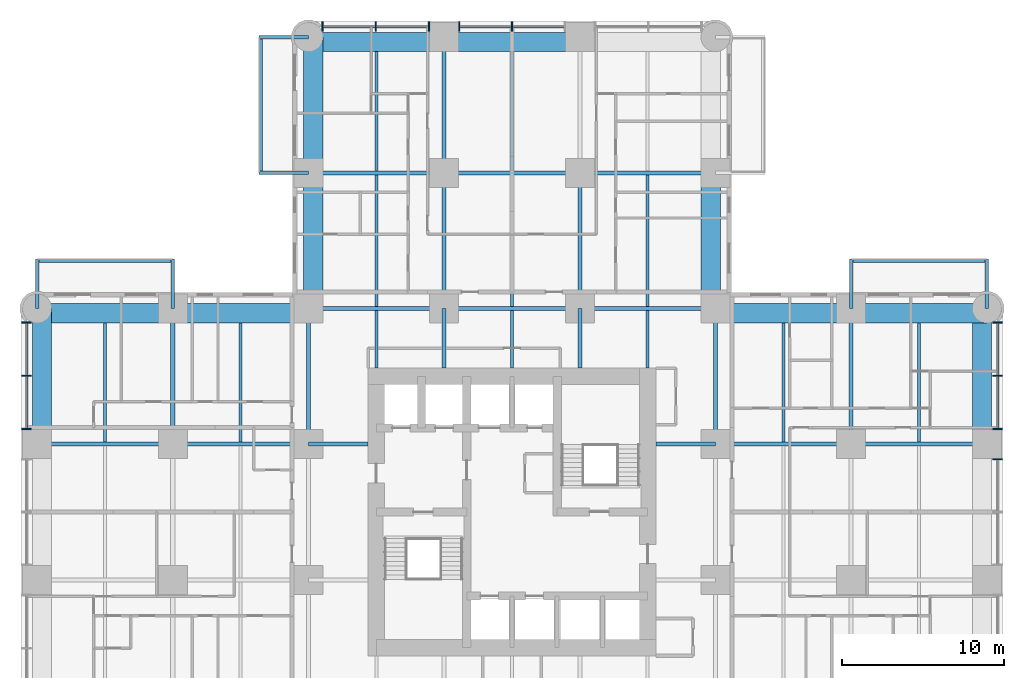
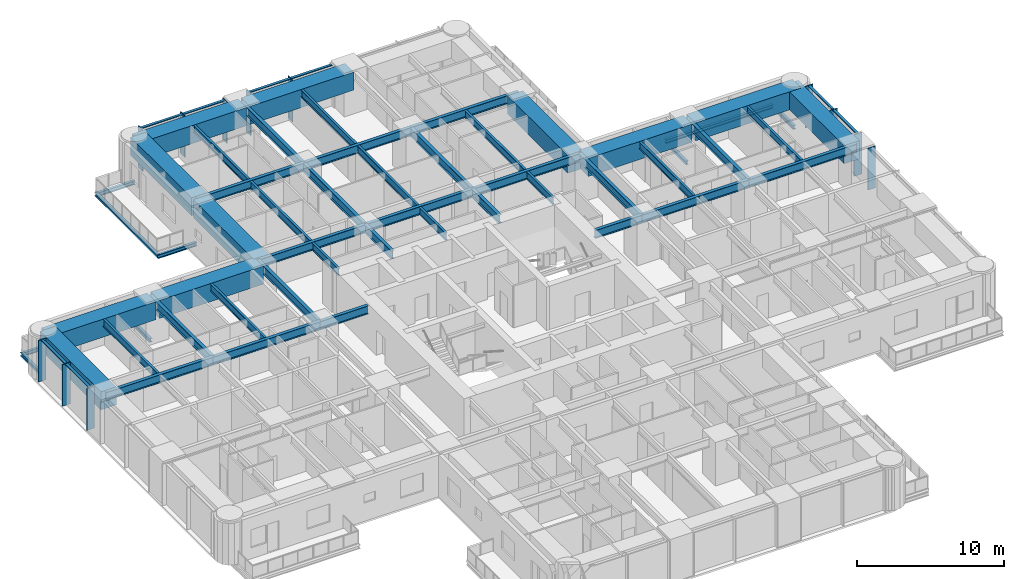
# One storey, part 4 of 17: 53 beams, 20 members, 3 elements without a shape of their own.
"""IFC4 building model written with IfcOpenShell, lengths in metres."""

from ifc_helpers import new_model, si_unit, direction, frame, origin, origin_2d, place, context, subcontext, project, spatial, rectangle, i_section, extrude, material, material_profile, profile_set, type_object, element, aggregate, save


model = new_model("IFC4")

# Units and contexts
model_context = context("Model", 3, precision=1e-05, world=origin(), true_north=direction((0.0, 1.0)))
body_context = subcontext(model_context, "Body", "Model", "MODEL_VIEW")
ifc_project = project(units=[si_unit("LENGTHUNIT", "METRE"), si_unit("AREAUNIT", "SQUARE_METRE"), si_unit("VOLUMEUNIT", "CUBIC_METRE"), si_unit("PLANEANGLEUNIT", "RADIAN"), si_unit("MASSUNIT", "GRAM", prefix="KILO")], contexts=[model_context])

# Site, building, storey
site_placement = place(None, origin())
site = spatial("IfcSite", under=ifc_project, at=site_placement, CompositionType="ELEMENT")
building_placement = place(site_placement, origin())
building = spatial("IfcBuilding", under=site, at=building_placement, Name="Torre Alcanfor", CompositionType="ELEMENT")
storey_placement = place(building_placement, frame((0.0, 0.0, 45.300048828125)))
storey = spatial("IfcBuildingStorey", under=building, at=storey_placement, Name="L10", CompositionType="ELEMENT", Elevation=45.300048828125)

# Beams
ifc_material_1 = material(Name="Steel ASTM A992 Grade 50", Category="steel")
ifc_material_profile_1 = material_profile(ifc_material_1, i_section(OverallWidth=0.205322265625, OverallDepth=0.309814453125, WebThickness=0.00927734375, FlangeThickness=0.016357421875, at=origin_2d()), Name="W12x50")
ifc_profile_set_1 = profile_set([ifc_material_profile_1], Name="Steel ASTM A992 Grade 50")
beam_type_1 = type_object("IfcBeamType", Name="Balcony cantilever beam W12x50", PredefinedType="BEAM", material=ifc_profile_set_1)
for number, where, z_axis, x_axis, name in (
    (1, (16.800048828125, 50.39990234375, -0.35498046875), (-1.0, 0.0, 0.0), (0.0, -1.0, 0.0), "Balcony cantilever beam L10-N1 1"),
    (2, (16.800048828125, 58.800048828125, -0.35498046875), (-1.0, 0.0, 0.0), (0.0, -1.0, 0.0), "Balcony cantilever beam L10-N1 2"),
    (3, (50.39990234375, 42.0, -0.35498046875), (0.0, 1.0, 0.0), (-1.0, 0.0, 0.0), "Balcony cantilever beam L10-E1 1"),
    (4, (58.800048828125, 42.0, -0.35498046875), (0.0, 1.0, 0.0), (-1.0, 0.0, 0.0), "Balcony cantilever beam L10-E1 2"),
    (5, (8.39990234375, 42.0, -0.35498046875), (0.0, 1.0, 0.0), (-1.0, 0.0, 0.0), "Balcony cantilever beam L10-W2 1"),
    (6, (0.0, 42.0, -0.35498046875), (0.0, 1.0, 0.0), (-1.0, 0.0, 0.0), "Balcony cantilever beam L10-W2 2"),
):
    element("IfcBeam", number, at=place(storey_placement, frame(where, z_axis=z_axis, x_axis=x_axis)), inside=storey, type_object=beam_type_1, Name=name, PredefinedType="BEAM", context=body_context, shape_type="SweptSolid", body=[
        extrude(i_section(OverallWidth=0.205322265625, OverallDepth=0.309814453125, WebThickness=0.00927734375, FlangeThickness=0.016357421875, at=origin_2d()), origin(), (0.0, 0.0, 1.0), 3.050048828125),
    ])
ifc_material_2 = material(Name="Steel ASTM A992 Grade 50", Category="steel")
ifc_material_profile_2 = material_profile(ifc_material_2, i_section(OverallWidth=0.203369140625, OverallDepth=0.30224609375, WebThickness=0.007568359375, FlangeThickness=0.01318359375, at=origin_2d()), Name="W12x40")
ifc_profile_set_2 = profile_set([ifc_material_profile_2], Name="Steel ASTM A992 Grade 50")
beam_type_2 = type_object("IfcBeamType", Name="Balcony edge trimmer W12x40", PredefinedType="BEAM", material=ifc_profile_set_2)
for number, where, z_axis, x_axis, name in (
    (7, (13.851806640625, 50.39990234375, -0.35107421875), (0.0, 1.0, 0.0), (-1.0, 0.0, 0.0), "Balcony edge trimmer L10-N1"),
    (8, (50.39990234375, 44.9482421875, -0.35107421875), (1.0, 0.0, 0.0), (0.0, 1.0, 0.0), "Balcony edge trimmer L10-E1"),
):
    element("IfcBeam", number, at=place(storey_placement, frame(where, z_axis=z_axis, x_axis=x_axis)), inside=storey, type_object=beam_type_2, Name=name, PredefinedType="BEAM", context=body_context, shape_type="SweptSolid", body=[
        extrude(i_section(OverallWidth=0.203369140625, OverallDepth=0.30224609375, WebThickness=0.007568359375, FlangeThickness=0.01318359375, at=origin_2d()), origin(), (0.0, 0.0, 1.0), 8.400146484375),
    ])
beam_1_placement = place(storey_placement, frame((8.39990234375, 44.9482421875, -0.35107421875), z_axis=(-1.0, 0.0, 0.0), x_axis=(0.0, -1.0, 0.0)))
element("IfcBeam", 9, at=beam_1_placement, inside=storey, type_object=beam_type_2, Name="Balcony edge trimmer L10-W2", PredefinedType="BEAM", context=body_context, shape_type="SweptSolid", body=[
    extrude(i_section(OverallWidth=0.203369140625, OverallDepth=0.30224609375, WebThickness=0.007568359375, FlangeThickness=0.01318359375, at=origin_2d()), origin(), (0.0, 0.0, 1.0), 8.39990234375),
])

# Curtain wall, members
ifc_material_3 = material(Name="Aluminium and glass", Category="aluminium")
curtain_wall_type = type_object("IfcCurtainWallType", Name="CW-A unitised apartment glazing with vertical FIN", PredefinedType="NOTDEFINED", material=ifc_material_3)
curtain_wall_1_placement = place(storey_placement, origin())
curtain_wall_1 = element("IfcCurtainWall", 10, at=curtain_wall_1_placement, inside=storey, type_object=curtain_wall_type, Name="Curtain wall CW-A L10 2", PredefinedType="NOTDEFINED")
ifc_material_4 = material(Name="Bronze anodised aluminium", Category="aluminium")
ifc_material_profile_3 = material_profile(ifc_material_4, rectangle(XDim=0.60009765625, YDim=0.06494140625, at=origin_2d()), Name="CW-A mullion 65x600")
ifc_profile_set_3 = profile_set([ifc_material_profile_3], Name="Bronze anodised aluminium")
member_type_1 = type_object("IfcMemberType", Name="CW-A mullion with vertical FIN 65x600", PredefinedType="MULLION", material=ifc_profile_set_3)
member_1_placement = place(storey_placement, frame((-0.64990234375, 41.133056640625, 0.0), z_axis=(0.0, 0.0, 1.0), x_axis=(1.0, 0.0, 0.0)))
member_1 = element("IfcMember", 11, at=member_1_placement, type_object=member_type_1, Name="CW-A mullion 1.1", PredefinedType="MULLION", context=body_context, shape_type="SweptSolid", body=[
    extrude(rectangle(XDim=0.60009765625, YDim=0.06494140625, at=origin_2d()), origin(), (0.0, 0.0, 1.0), 3.449951171875),
])
member_2_placement = place(storey_placement, frame((-0.64990234375, 37.835205078125, 0.0), z_axis=(0.0, 0.0, 1.0), x_axis=(1.0, 0.0, 0.0)))
member_2 = element("IfcMember", 12, at=member_2_placement, type_object=member_type_1, Name="CW-A mullion 1.2", PredefinedType="MULLION", context=body_context, shape_type="SweptSolid", body=[
    extrude(rectangle(XDim=0.60009765625, YDim=0.06494140625, at=origin_2d()), origin(), (0.0, 0.0, 1.0), 3.449951171875),
])
member_3_placement = place(storey_placement, frame((-0.64990234375, 34.53759765625, 0.0), z_axis=(0.0, 0.0, 1.0), x_axis=(1.0, 0.0, 0.0)))
member_3 = element("IfcMember", 13, at=member_3_placement, type_object=member_type_1, Name="CW-A mullion 1.3", PredefinedType="MULLION", context=body_context, shape_type="SweptSolid", body=[
    extrude(rectangle(XDim=0.60009765625, YDim=0.06494140625, at=origin_2d()), origin(), (0.0, 0.0, 1.0), 3.449951171875),
])

curtain_wall_2_placement = place(storey_placement, origin())
curtain_wall_2 = element("IfcCurtainWall", 14, at=curtain_wall_2_placement, inside=storey, type_object=curtain_wall_type, Name="Curtain wall CW-A L10 8", PredefinedType="NOTDEFINED")
member_4_placement = place(storey_placement, frame((59.449951171875, 32.66259765625, 0.0), z_axis=(0.0, 0.0, 1.0), x_axis=(-1.0, 0.0, 0.0)))
member_4 = element("IfcMember", 15, at=member_4_placement, type_object=member_type_1, Name="CW-A mullion 2.3", PredefinedType="MULLION", context=body_context, shape_type="SweptSolid", body=[
    extrude(rectangle(XDim=0.60009765625, YDim=0.06494140625, at=origin_2d()), origin(), (0.0, 0.0, 1.0), 3.449951171875),
])
member_5_placement = place(storey_placement, frame((59.449951171875, 34.53759765625, 0.0), z_axis=(0.0, 0.0, 1.0), x_axis=(-1.0, 0.0, 0.0)))
member_5 = element("IfcMember", 16, at=member_5_placement, type_object=member_type_1, Name="CW-A mullion 3.1", PredefinedType="MULLION", context=body_context, shape_type="SweptSolid", body=[
    extrude(rectangle(XDim=0.60009765625, YDim=0.06494140625, at=origin_2d()), origin(), (0.0, 0.0, 1.0), 3.449951171875),
])
member_6_placement = place(storey_placement, frame((59.449951171875, 37.835205078125, 0.0), z_axis=(0.0, 0.0, 1.0), x_axis=(-1.0, 0.0, 0.0)))
member_6 = element("IfcMember", 17, at=member_6_placement, type_object=member_type_1, Name="CW-A mullion 3.2", PredefinedType="MULLION", context=body_context, shape_type="SweptSolid", body=[
    extrude(rectangle(XDim=0.60009765625, YDim=0.06494140625, at=origin_2d()), origin(), (0.0, 0.0, 1.0), 3.449951171875),
])
member_7_placement = place(storey_placement, frame((59.449951171875, 41.133056640625, 0.0), z_axis=(0.0, 0.0, 1.0), x_axis=(-1.0, 0.0, 0.0)))
member_7 = element("IfcMember", 18, at=member_7_placement, type_object=member_type_1, Name="CW-A mullion 3.3", PredefinedType="MULLION", context=body_context, shape_type="SweptSolid", body=[
    extrude(rectangle(XDim=0.60009765625, YDim=0.06494140625, at=origin_2d()), origin(), (0.0, 0.0, 1.0), 3.449951171875),
])

curtain_wall_3_placement = place(storey_placement, origin())
curtain_wall_3 = element("IfcCurtainWall", 19, at=curtain_wall_3_placement, inside=storey, type_object=curtain_wall_type, Name="Curtain wall CW-A L10 11", PredefinedType="NOTDEFINED")
member_8_placement = place(storey_placement, frame((29.39990234375, 59.449951171875, 0.0), z_axis=(0.0, 0.0, 1.0), x_axis=(0.0, -1.0, 0.0)))
member_8 = element("IfcMember", 20, at=member_8_placement, type_object=member_type_1, Name="CW-A mullion 2.2", PredefinedType="MULLION", context=body_context, shape_type="SweptSolid", body=[
    extrude(rectangle(XDim=0.60009765625, YDim=0.06494140625, at=origin_2d()), origin(), (0.0, 0.0, 1.0), 3.449951171875),
])
member_9_placement = place(storey_placement, frame((26.137451171875, 59.449951171875, 0.0), z_axis=(0.0, 0.0, 1.0), x_axis=(0.0, -1.0, 0.0)))
member_9 = element("IfcMember", 21, at=member_9_placement, type_object=member_type_1, Name="CW-A mullion 2.3", PredefinedType="MULLION", context=body_context, shape_type="SweptSolid", body=[
    extrude(rectangle(XDim=0.60009765625, YDim=0.06494140625, at=origin_2d()), origin(), (0.0, 0.0, 1.0), 3.449951171875),
])
member_10_placement = place(storey_placement, frame((24.262451171875, 59.449951171875, 0.0), z_axis=(0.0, 0.0, 1.0), x_axis=(0.0, -1.0, 0.0)))
member_10 = element("IfcMember", 22, at=member_10_placement, type_object=member_type_1, Name="CW-A mullion 3.1", PredefinedType="MULLION", context=body_context, shape_type="SweptSolid", body=[
    extrude(rectangle(XDim=0.60009765625, YDim=0.06494140625, at=origin_2d()), origin(), (0.0, 0.0, 1.0), 3.449951171875),
])
member_11_placement = place(storey_placement, frame((20.96484375, 59.449951171875, 0.0), z_axis=(0.0, 0.0, 1.0), x_axis=(0.0, -1.0, 0.0)))
member_11 = element("IfcMember", 23, at=member_11_placement, type_object=member_type_1, Name="CW-A mullion 3.2", PredefinedType="MULLION", context=body_context, shape_type="SweptSolid", body=[
    extrude(rectangle(XDim=0.60009765625, YDim=0.06494140625, at=origin_2d()), origin(), (0.0, 0.0, 1.0), 3.449951171875),
])
member_12_placement = place(storey_placement, frame((17.6669921875, 59.449951171875, 0.0), z_axis=(0.0, 0.0, 1.0), x_axis=(0.0, -1.0, 0.0)))
member_12 = element("IfcMember", 24, at=member_12_placement, type_object=member_type_1, Name="CW-A mullion 3.3", PredefinedType="MULLION", context=body_context, shape_type="SweptSolid", body=[
    extrude(rectangle(XDim=0.60009765625, YDim=0.06494140625, at=origin_2d()), origin(), (0.0, 0.0, 1.0), 3.449951171875),
])

# Member
ifc_material_5 = material(Name="Extruded aluminium", Category="aluminium")
ifc_material_profile_4 = material_profile(ifc_material_5, rectangle(XDim=0.199951171875, YDim=0.06494140625, at=origin_2d()), Name="CW-A transom 200x65")
ifc_profile_set_4 = profile_set([ifc_material_profile_4], Name="Extruded aluminium")
member_type_2 = type_object("IfcMemberType", Name="CW-A transom 65x200", PredefinedType="USERDEFINED", material=ifc_profile_set_4)
member_13_placement = place(storey_placement, frame((-0.64990234375, 41.1005859375, 3.41748046875), z_axis=(0.0, -1.0, 0.0), x_axis=(1.0, 0.0, 0.0)))
member_13 = element("IfcMember", 25, at=member_13_placement, type_object=member_type_2, Name="CW-A transom 1.1.2", ObjectType="TRANSOM", PredefinedType="USERDEFINED", context=body_context, shape_type="SweptSolid", body=[
    extrude(rectangle(XDim=0.199951171875, YDim=0.06494140625, at=origin_2d()), origin(), (0.0, 0.0, 1.0), 3.23291015625),
])

member_14_placement = place(storey_placement, frame((-0.64990234375, 37.802734375, 3.41748046875), z_axis=(0.0, -1.0, 0.0), x_axis=(1.0, 0.0, 0.0)))
member_14 = element("IfcMember", 26, at=member_14_placement, type_object=member_type_2, Name="CW-A transom 1.2.2", ObjectType="TRANSOM", PredefinedType="USERDEFINED", context=body_context, shape_type="SweptSolid", body=[
    extrude(rectangle(XDim=0.199951171875, YDim=0.06494140625, at=origin_2d()), origin(), (0.0, 0.0, 1.0), 3.232666015625),
])

aggregate(curtain_wall_1, [member_1, member_2, member_3, member_13, member_14])

member_15_placement = place(storey_placement, frame((59.449951171875, 34.570068359375, 3.41748046875), z_axis=(0.0, 1.0, 0.0), x_axis=(-1.0, 0.0, 0.0)))
member_15 = element("IfcMember", 27, at=member_15_placement, type_object=member_type_2, Name="CW-A transom 3.1.2", ObjectType="TRANSOM", PredefinedType="USERDEFINED", context=body_context, shape_type="SweptSolid", body=[
    extrude(rectangle(XDim=0.199951171875, YDim=0.06494140625, at=origin_2d()), origin(), (0.0, 0.0, 1.0), 3.232666015625),
])

member_16_placement = place(storey_placement, frame((59.449951171875, 37.86767578125, 3.41748046875), z_axis=(0.0, 1.0, 0.0), x_axis=(-1.0, 0.0, 0.0)))
member_16 = element("IfcMember", 28, at=member_16_placement, type_object=member_type_2, Name="CW-A transom 3.2.2", ObjectType="TRANSOM", PredefinedType="USERDEFINED", context=body_context, shape_type="SweptSolid", body=[
    extrude(rectangle(XDim=0.199951171875, YDim=0.06494140625, at=origin_2d()), origin(), (0.0, 0.0, 1.0), 3.23291015625),
])

aggregate(curtain_wall_2, [member_4, member_5, member_6, member_7, member_15, member_16])

member_17_placement = place(storey_placement, frame((32.6298828125, 59.449951171875, 3.41748046875), z_axis=(-1.0, 0.0, 0.0), x_axis=(0.0, -1.0, 0.0)))
member_17 = element("IfcMember", 29, at=member_17_placement, type_object=member_type_2, Name="CW-A transom 2.1.2", ObjectType="TRANSOM", PredefinedType="USERDEFINED", context=body_context, shape_type="SweptSolid", body=[
    extrude(rectangle(XDim=0.199951171875, YDim=0.06494140625, at=origin_2d()), origin(), (0.0, 0.0, 1.0), 3.197265625),
])

member_18_placement = place(storey_placement, frame((29.367431640625, 59.449951171875, 3.41748046875), z_axis=(-1.0, 0.0, 0.0), x_axis=(0.0, -1.0, 0.0)))
member_18 = element("IfcMember", 30, at=member_18_placement, type_object=member_type_2, Name="CW-A transom 2.2.2", ObjectType="TRANSOM", PredefinedType="USERDEFINED", context=body_context, shape_type="SweptSolid", body=[
    extrude(rectangle(XDim=0.199951171875, YDim=0.06494140625, at=origin_2d()), origin(), (0.0, 0.0, 1.0), 3.197509765625),
])

member_19_placement = place(storey_placement, frame((24.22998046875, 59.449951171875, 3.41748046875), z_axis=(-1.0, 0.0, 0.0), x_axis=(0.0, -1.0, 0.0)))
member_19 = element("IfcMember", 31, at=member_19_placement, type_object=member_type_2, Name="CW-A transom 3.1.2", ObjectType="TRANSOM", PredefinedType="USERDEFINED", context=body_context, shape_type="SweptSolid", body=[
    extrude(rectangle(XDim=0.199951171875, YDim=0.06494140625, at=origin_2d()), origin(), (0.0, 0.0, 1.0), 3.232666015625),
])

member_20_placement = place(storey_placement, frame((20.93212890625, 59.449951171875, 3.41748046875), z_axis=(-1.0, 0.0, 0.0), x_axis=(0.0, -1.0, 0.0)))
member_20 = element("IfcMember", 32, at=member_20_placement, type_object=member_type_2, Name="CW-A transom 3.2.2", ObjectType="TRANSOM", PredefinedType="USERDEFINED", context=body_context, shape_type="SweptSolid", body=[
    extrude(rectangle(XDim=0.199951171875, YDim=0.06494140625, at=origin_2d()), origin(), (0.0, 0.0, 1.0), 3.232666015625),
])

aggregate(curtain_wall_3, [member_8, member_9, member_17, member_18, member_10, member_11, member_12, member_19, member_20])

# Beams
ifc_material_6 = material(Name="Steel ASTM A992 Grade 50", Category="steel")
ifc_material_profile_5 = material_profile(ifc_material_6, i_section(OverallWidth=0.25390625, OverallDepth=0.683349609375, WebThickness=0.012451171875, FlangeThickness=0.01904296875, at=origin_2d()), Name="W27x94")
ifc_profile_set_5 = profile_set([ifc_material_profile_5], Name="Steel ASTM A992 Grade 50")
beam_type_3 = type_object("IfcBeamType", Name="Girder W27x94", PredefinedType="BEAM", material=ifc_profile_set_5)
beam_2_placement = place(storey_placement, frame((0.0, 33.60009765625, 3.1083984375), z_axis=(1.0, 0.0, 0.0), x_axis=(0.0, 1.0, 0.0)))
element("IfcBeam", 33, at=beam_2_placement, inside=storey, type_object=beam_type_3, Name="Beam 1G-2G under L11", PredefinedType="BEAM", context=body_context, shape_type="SweptSolid", body=[
    extrude(i_section(OverallWidth=0.25390625, OverallDepth=0.683349609375, WebThickness=0.012451171875, FlangeThickness=0.01904296875, at=origin_2d()), origin(), (0.0, 0.0, 1.0), 8.39990234375),
])
beam_3_placement = place(storey_placement, frame((8.39990234375, 33.60009765625, 3.1083984375), z_axis=(1.0, 0.0, 0.0), x_axis=(0.0, 1.0, 0.0)))
element("IfcBeam", 34, at=beam_3_placement, inside=storey, type_object=beam_type_3, Name="Beam 2G-3G under L11", PredefinedType="BEAM", context=body_context, shape_type="SweptSolid", body=[
    extrude(i_section(OverallWidth=0.25390625, OverallDepth=0.683349609375, WebThickness=0.012451171875, FlangeThickness=0.01904296875, at=origin_2d()), origin(), (0.0, 0.0, 1.0), 8.400146484375),
])
beam_4_placement = place(storey_placement, frame((42.0, 33.60009765625, 3.1083984375), z_axis=(1.0, 0.0, 0.0), x_axis=(0.0, 1.0, 0.0)))
element("IfcBeam", 35, at=beam_4_placement, inside=storey, type_object=beam_type_3, Name="Beam 6G-7G under L11", PredefinedType="BEAM", context=body_context, shape_type="SweptSolid", body=[
    extrude(i_section(OverallWidth=0.25390625, OverallDepth=0.683349609375, WebThickness=0.012451171875, FlangeThickness=0.01904296875, at=origin_2d()), origin(), (0.0, 0.0, 1.0), 8.39990234375),
])
beam_5_placement = place(storey_placement, frame((50.39990234375, 33.60009765625, 3.1083984375), z_axis=(1.0, 0.0, 0.0), x_axis=(0.0, 1.0, 0.0)))
element("IfcBeam", 36, at=beam_5_placement, inside=storey, type_object=beam_type_3, Name="Beam 7G-8G under L11", PredefinedType="BEAM", context=body_context, shape_type="SweptSolid", body=[
    extrude(i_section(OverallWidth=0.25390625, OverallDepth=0.683349609375, WebThickness=0.012451171875, FlangeThickness=0.01904296875, at=origin_2d()), origin(), (0.0, 0.0, 1.0), 8.400146484375),
])
beam_6_placement = place(storey_placement, frame((16.800048828125, 42.0, 3.1083984375), z_axis=(1.0, 0.0, 0.0), x_axis=(0.0, 1.0, 0.0)))
element("IfcBeam", 37, at=beam_6_placement, inside=storey, type_object=beam_type_3, Name="Beam 3H-4H under L11", PredefinedType="BEAM", context=body_context, shape_type="SweptSolid", body=[
    extrude(i_section(OverallWidth=0.25390625, OverallDepth=0.683349609375, WebThickness=0.012451171875, FlangeThickness=0.01904296875, at=origin_2d()), origin(), (0.0, 0.0, 1.0), 8.39990234375),
])
beam_7_placement = place(storey_placement, frame((25.199951171875, 42.0, 3.1083984375), z_axis=(1.0, 0.0, 0.0), x_axis=(0.0, 1.0, 0.0)))
element("IfcBeam", 38, at=beam_7_placement, inside=storey, type_object=beam_type_3, Name="Beam 4H-5H under L11", PredefinedType="BEAM", context=body_context, shape_type="SweptSolid", body=[
    extrude(i_section(OverallWidth=0.25390625, OverallDepth=0.683349609375, WebThickness=0.012451171875, FlangeThickness=0.01904296875, at=origin_2d()), origin(), (0.0, 0.0, 1.0), 8.400146484375),
])
for number, where, z_axis, x_axis, name in (
    (39, (33.60009765625, 42.0, 3.1083984375), (1.0, 0.0, 0.0), (0.0, 1.0, 0.0), "Beam 5H-6H under L11"),
    (40, (16.800048828125, 50.39990234375, 3.1083984375), (1.0, 0.0, 0.0), (0.0, 1.0, 0.0), "Beam 3J-4J under L11"),
):
    element("IfcBeam", number, at=place(storey_placement, frame(where, z_axis=z_axis, x_axis=x_axis)), inside=storey, type_object=beam_type_3, Name=name, PredefinedType="BEAM", context=body_context, shape_type="SweptSolid", body=[
        extrude(i_section(OverallWidth=0.25390625, OverallDepth=0.683349609375, WebThickness=0.012451171875, FlangeThickness=0.01904296875, at=origin_2d()), origin(), (0.0, 0.0, 1.0), 8.39990234375),
    ])
beam_8_placement = place(storey_placement, frame((25.199951171875, 50.39990234375, 3.1083984375), z_axis=(1.0, 0.0, 0.0), x_axis=(0.0, 1.0, 0.0)))
element("IfcBeam", 41, at=beam_8_placement, inside=storey, type_object=beam_type_3, Name="Beam 4J-5J under L11", PredefinedType="BEAM", context=body_context, shape_type="SweptSolid", body=[
    extrude(i_section(OverallWidth=0.25390625, OverallDepth=0.683349609375, WebThickness=0.012451171875, FlangeThickness=0.01904296875, at=origin_2d()), origin(), (0.0, 0.0, 1.0), 8.400146484375),
])
for number, where, z_axis, x_axis, name in (
    (42, (33.60009765625, 50.39990234375, 3.1083984375), (1.0, 0.0, 0.0), (0.0, 1.0, 0.0), "Beam 5J-6J under L11"),
    (43, (8.39990234375, 33.60009765625, 3.1083984375), (0.0, 1.0, 0.0), (-1.0, 0.0, 0.0), "Beam 2G-2H under L11"),
    (44, (16.800048828125, 33.60009765625, 3.1083984375), (0.0, 1.0, 0.0), (-1.0, 0.0, 0.0), "Beam 3G-3H under L11"),
    (45, (25.199951171875, 42.0, 3.1083984375), (0.0, 1.0, 0.0), (-1.0, 0.0, 0.0), "Beam 4H-4J under L11"),
):
    element("IfcBeam", number, at=place(storey_placement, frame(where, z_axis=z_axis, x_axis=x_axis)), inside=storey, type_object=beam_type_3, Name=name, PredefinedType="BEAM", context=body_context, shape_type="SweptSolid", body=[
        extrude(i_section(OverallWidth=0.25390625, OverallDepth=0.683349609375, WebThickness=0.012451171875, FlangeThickness=0.01904296875, at=origin_2d()), origin(), (0.0, 0.0, 1.0), 8.39990234375),
    ])
beam_9_placement = place(storey_placement, frame((25.199951171875, 50.39990234375, 3.1083984375), z_axis=(0.0, 1.0, 0.0), x_axis=(-1.0, 0.0, 0.0)))
element("IfcBeam", 46, at=beam_9_placement, inside=storey, type_object=beam_type_3, Name="Beam 4J-4K under L11", PredefinedType="BEAM", context=body_context, shape_type="SweptSolid", body=[
    extrude(i_section(OverallWidth=0.25390625, OverallDepth=0.683349609375, WebThickness=0.012451171875, FlangeThickness=0.01904296875, at=origin_2d()), origin(), (0.0, 0.0, 1.0), 8.400146484375),
])
for number, where, z_axis, x_axis, name in (
    (47, (33.60009765625, 42.0, 3.1083984375), (0.0, 1.0, 0.0), (-1.0, 0.0, 0.0), "Beam 5H-5J under L11"),
    (48, (42.0, 33.60009765625, 3.1083984375), (0.0, 1.0, 0.0), (-1.0, 0.0, 0.0), "Beam 6G-6H under L11"),
    (49, (50.39990234375, 33.60009765625, 3.1083984375), (0.0, 1.0, 0.0), (-1.0, 0.0, 0.0), "Beam 7G-7H under L11"),
):
    element("IfcBeam", number, at=place(storey_placement, frame(where, z_axis=z_axis, x_axis=x_axis)), inside=storey, type_object=beam_type_3, Name=name, PredefinedType="BEAM", context=body_context, shape_type="SweptSolid", body=[
        extrude(i_section(OverallWidth=0.25390625, OverallDepth=0.683349609375, WebThickness=0.012451171875, FlangeThickness=0.01904296875, at=origin_2d()), origin(), (0.0, 0.0, 1.0), 8.39990234375),
    ])
ifc_material_7 = material(Name="Steel ASTM A992 Grade 50", Category="steel")
ifc_material_profile_6 = material_profile(ifc_material_7, i_section(OverallWidth=0.25390625, OverallDepth=0.683349609375, WebThickness=0.012451171875, FlangeThickness=0.01904296875, at=origin_2d()), Name="W27x94")
ifc_profile_set_6 = profile_set([ifc_material_profile_6], Name="Steel ASTM A992 Grade 50")
beam_type_4 = type_object("IfcBeamType", Name="Girder, part bay W27x94", PredefinedType="BEAM", material=ifc_profile_set_6)
for number, where, z_axis, x_axis, name in (
    (50, (25.199951171875, 42.0, 3.1083984375), (0.0, -1.0, 0.0), (1.0, 0.0, 0.0), "Beam 4H-438_3 under L11"),
    (51, (33.60009765625, 42.0, 3.1083984375), (0.0, -1.0, 0.0), (1.0, 0.0, 0.0), "Beam 5H-538_3 under L11"),
    (52, (16.800048828125, 33.60009765625, 3.1083984375), (1.0, 0.0, 0.0), (0.0, 1.0, 0.0), "Beam 3G-20_5G under L11"),
    (53, (42.0, 33.60009765625, 3.1083984375), (-1.0, 0.0, 0.0), (0.0, -1.0, 0.0), "Beam 6G-38_3G under L11"),
):
    element("IfcBeam", number, at=place(storey_placement, frame(where, z_axis=z_axis, x_axis=x_axis)), inside=storey, type_object=beam_type_4, Name=name, PredefinedType="BEAM", context=body_context, shape_type="SweptSolid", body=[
        extrude(i_section(OverallWidth=0.25390625, OverallDepth=0.683349609375, WebThickness=0.012451171875, FlangeThickness=0.01904296875, at=origin_2d()), origin(), (0.0, 0.0, 1.0), 3.699951171875),
    ])
ifc_material_8 = material(Name="Concrete f'c 70 MPa", Category="concrete")
ifc_material_profile_7 = material_profile(ifc_material_8, rectangle(XDim=1.199951171875, YDim=1.5, at=origin_2d()), Name="1200x1500")
ifc_profile_set_7 = profile_set([ifc_material_profile_7], Name="Concrete f'c 70 MPa")
beam_type_5 = type_object("IfcBeamType", Name="RC perimeter beam 1200x1500", PredefinedType="BEAM", material=ifc_profile_set_7)
beam_10_placement = place(storey_placement, frame((0.0, 41.699951171875, 2.699951171875), z_axis=(1.0, 0.0, 0.0), x_axis=(0.0, 1.0, 0.0)))
element("IfcBeam", 54, at=beam_10_placement, inside=storey, type_object=beam_type_5, Name="Beam 1H-2H under L11", PredefinedType="BEAM", context=body_context, shape_type="SweptSolid", body=[
    extrude(rectangle(XDim=1.199951171875, YDim=1.5, at=origin_2d()), origin(), (0.0, 0.0, 1.0), 8.27294921875),
])
for number, where, z_axis, x_axis, name in (
    (55, (8.527099609375, 41.699951171875, 2.699951171875), (1.0, 0.0, 0.0), (0.0, 1.0, 0.0), "Beam 2H-3H under L11"),
    (56, (42.126953125, 41.699951171875, 2.699951171875), (1.0, 0.0, 0.0), (0.0, 1.0, 0.0), "Beam 6H-7H under L11"),
):
    element("IfcBeam", number, at=place(storey_placement, frame(where, z_axis=z_axis, x_axis=x_axis)), inside=storey, type_object=beam_type_5, Name=name, PredefinedType="BEAM", context=body_context, shape_type="SweptSolid", body=[
        extrude(rectangle(XDim=1.199951171875, YDim=1.5, at=origin_2d()), origin(), (0.0, 0.0, 1.0), 8.14599609375),
    ])
for number, where, z_axis, x_axis, name in (
    (57, (50.527099609375, 41.699951171875, 2.699951171875), (1.0, 0.0, 0.0), (0.0, 1.0, 0.0), "Beam 7H-8H under L11"),
    (58, (16.800048828125, 58.5, 2.699951171875), (1.0, 0.0, 0.0), (0.0, 1.0, 0.0), "Beam 3K-4K under L11"),
):
    element("IfcBeam", number, at=place(storey_placement, frame(where, z_axis=z_axis, x_axis=x_axis)), inside=storey, type_object=beam_type_5, Name=name, PredefinedType="BEAM", context=body_context, shape_type="SweptSolid", body=[
        extrude(rectangle(XDim=1.199951171875, YDim=1.5, at=origin_2d()), origin(), (0.0, 0.0, 1.0), 8.27294921875),
    ])
beam_11_placement = place(storey_placement, frame((25.326904296875, 58.5, 2.699951171875), z_axis=(1.0, 0.0, 0.0), x_axis=(0.0, 1.0, 0.0)))
element("IfcBeam", 59, at=beam_11_placement, inside=storey, type_object=beam_type_5, Name="Beam 4K-5K under L11", PredefinedType="BEAM", context=body_context, shape_type="SweptSolid", body=[
    extrude(rectangle(XDim=1.199951171875, YDim=1.5, at=origin_2d()), origin(), (0.0, 0.0, 1.0), 8.14599609375),
])
beam_12_placement = place(storey_placement, frame((0.300048828125, 33.72705078125, 2.699951171875), z_axis=(0.0, 1.0, 0.0), x_axis=(-1.0, 0.0, 0.0)))
element("IfcBeam", 60, at=beam_12_placement, inside=storey, type_object=beam_type_5, Name="Beam 1G-1H under L11", PredefinedType="BEAM", context=body_context, shape_type="SweptSolid", body=[
    extrude(rectangle(XDim=1.199951171875, YDim=1.5, at=origin_2d()), origin(), (0.0, 0.0, 1.0), 8.27294921875),
])
beam_13_placement = place(storey_placement, frame((17.10009765625, 42.126953125, 2.699951171875), z_axis=(0.0, 1.0, 0.0), x_axis=(-1.0, 0.0, 0.0)))
element("IfcBeam", 61, at=beam_13_placement, inside=storey, type_object=beam_type_5, Name="Beam 3H-3J under L11", PredefinedType="BEAM", context=body_context, shape_type="SweptSolid", body=[
    extrude(rectangle(XDim=1.199951171875, YDim=1.5, at=origin_2d()), origin(), (0.0, 0.0, 1.0), 8.14599609375),
])
beam_14_placement = place(storey_placement, frame((17.10009765625, 50.527099609375, 2.699951171875), z_axis=(0.0, 1.0, 0.0), x_axis=(-1.0, 0.0, 0.0)))
element("IfcBeam", 62, at=beam_14_placement, inside=storey, type_object=beam_type_5, Name="Beam 3J-3K under L11", PredefinedType="BEAM", context=body_context, shape_type="SweptSolid", body=[
    extrude(rectangle(XDim=1.199951171875, YDim=1.5, at=origin_2d()), origin(), (0.0, 0.0, 1.0), 8.27294921875),
])
beam_15_placement = place(storey_placement, frame((41.699951171875, 42.126953125, 2.699951171875), z_axis=(0.0, 1.0, 0.0), x_axis=(-1.0, 0.0, 0.0)))
element("IfcBeam", 63, at=beam_15_placement, inside=storey, type_object=beam_type_5, Name="Beam 6H-6J under L11", PredefinedType="BEAM", context=body_context, shape_type="SweptSolid", body=[
    extrude(rectangle(XDim=1.199951171875, YDim=1.5, at=origin_2d()), origin(), (0.0, 0.0, 1.0), 8.14599609375),
])
beam_16_placement = place(storey_placement, frame((58.5, 33.72705078125, 2.699951171875), z_axis=(0.0, 1.0, 0.0), x_axis=(-1.0, 0.0, 0.0)))
element("IfcBeam", 64, at=beam_16_placement, inside=storey, type_object=beam_type_5, Name="Beam 8G-8H under L11", PredefinedType="BEAM", context=body_context, shape_type="SweptSolid", body=[
    extrude(rectangle(XDim=1.199951171875, YDim=1.5, at=origin_2d()), origin(), (0.0, 0.0, 1.0), 8.27294921875),
])
ifc_material_9 = material(Name="Steel ASTM A992 Grade 50", Category="steel")
ifc_material_profile_8 = material_profile(ifc_material_9, i_section(OverallWidth=0.1787109375, OverallDepth=0.60205078125, WebThickness=0.010986328125, FlangeThickness=0.014892578125, at=origin_2d()), Name="W24x62")
ifc_profile_set_8 = profile_set([ifc_material_profile_8], Name="Steel ASTM A992 Grade 50")
beam_type_6 = type_object("IfcBeamType", Name="Secondary beam W24x62", PredefinedType="BEAM", material=ifc_profile_set_8)
for number, where, z_axis, x_axis, name in (
    (65, (4.199951171875, 33.72705078125, 3.14892578125), (0.0, 1.0, 0.0), (-1.0, 0.0, 0.0), "Beam 4_2G-4_2H under L11"),
    (66, (12.60009765625, 33.72705078125, 3.14892578125), (0.0, 1.0, 0.0), (-1.0, 0.0, 0.0), "Beam 12_6G-12_6H under L11"),
):
    element("IfcBeam", number, at=place(storey_placement, frame(where, z_axis=z_axis, x_axis=x_axis)), inside=storey, type_object=beam_type_6, Name=name, PredefinedType="BEAM", context=body_context, shape_type="SweptSolid", body=[
        extrude(i_section(OverallWidth=0.1787109375, OverallDepth=0.60205078125, WebThickness=0.010986328125, FlangeThickness=0.014892578125, at=origin_2d()), origin(), (0.0, 0.0, 1.0), 7.373046875),
    ])
beam_17_placement = place(storey_placement, frame((21.0, 42.126953125, 3.14892578125), z_axis=(0.0, 1.0, 0.0), x_axis=(-1.0, 0.0, 0.0)))
element("IfcBeam", 67, at=beam_17_placement, inside=storey, type_object=beam_type_6, Name="Beam 21H-21J under L11", PredefinedType="BEAM", context=body_context, shape_type="SweptSolid", body=[
    extrude(i_section(OverallWidth=0.1787109375, OverallDepth=0.60205078125, WebThickness=0.010986328125, FlangeThickness=0.014892578125, at=origin_2d()), origin(), (0.0, 0.0, 1.0), 8.14599609375),
])
beam_18_placement = place(storey_placement, frame((21.0, 50.527099609375, 3.14892578125), z_axis=(0.0, 1.0, 0.0), x_axis=(-1.0, 0.0, 0.0)))
element("IfcBeam", 68, at=beam_18_placement, inside=storey, type_object=beam_type_6, Name="Beam 21J-21K under L11", PredefinedType="BEAM", context=body_context, shape_type="SweptSolid", body=[
    extrude(i_section(OverallWidth=0.1787109375, OverallDepth=0.60205078125, WebThickness=0.010986328125, FlangeThickness=0.014892578125, at=origin_2d()), origin(), (0.0, 0.0, 1.0), 7.372802734375),
])
beam_19_placement = place(storey_placement, frame((29.39990234375, 42.126953125, 3.14892578125), z_axis=(0.0, 1.0, 0.0), x_axis=(-1.0, 0.0, 0.0)))
element("IfcBeam", 69, at=beam_19_placement, inside=storey, type_object=beam_type_6, Name="Beam 29_4H-29_4J under L11", PredefinedType="BEAM", context=body_context, shape_type="SweptSolid", body=[
    extrude(i_section(OverallWidth=0.1787109375, OverallDepth=0.60205078125, WebThickness=0.010986328125, FlangeThickness=0.014892578125, at=origin_2d()), origin(), (0.0, 0.0, 1.0), 8.14599609375),
])
beam_20_placement = place(storey_placement, frame((29.39990234375, 50.527099609375, 3.14892578125), z_axis=(0.0, 1.0, 0.0), x_axis=(-1.0, 0.0, 0.0)))
element("IfcBeam", 70, at=beam_20_placement, inside=storey, type_object=beam_type_6, Name="Beam 29_4J-29_4K under L11", PredefinedType="BEAM", context=body_context, shape_type="SweptSolid", body=[
    extrude(i_section(OverallWidth=0.1787109375, OverallDepth=0.60205078125, WebThickness=0.010986328125, FlangeThickness=0.014892578125, at=origin_2d()), origin(), (0.0, 0.0, 1.0), 7.372802734375),
])
beam_21_placement = place(storey_placement, frame((37.800048828125, 42.126953125, 3.14892578125), z_axis=(0.0, 1.0, 0.0), x_axis=(-1.0, 0.0, 0.0)))
element("IfcBeam", 71, at=beam_21_placement, inside=storey, type_object=beam_type_6, Name="Beam 37_8H-37_8J under L11", PredefinedType="BEAM", context=body_context, shape_type="SweptSolid", body=[
    extrude(i_section(OverallWidth=0.1787109375, OverallDepth=0.60205078125, WebThickness=0.010986328125, FlangeThickness=0.014892578125, at=origin_2d()), origin(), (0.0, 0.0, 1.0), 8.14599609375),
])
for number, where, z_axis, x_axis, name in (
    (72, (46.199951171875, 33.72705078125, 3.14892578125), (0.0, 1.0, 0.0), (-1.0, 0.0, 0.0), "Beam 46_2G-46_2H under L11"),
    (73, (54.60009765625, 33.72705078125, 3.14892578125), (0.0, 1.0, 0.0), (-1.0, 0.0, 0.0), "Beam 54_6G-54_6H under L11"),
):
    element("IfcBeam", number, at=place(storey_placement, frame(where, z_axis=z_axis, x_axis=x_axis)), inside=storey, type_object=beam_type_6, Name=name, PredefinedType="BEAM", context=body_context, shape_type="SweptSolid", body=[
        extrude(i_section(OverallWidth=0.1787109375, OverallDepth=0.60205078125, WebThickness=0.010986328125, FlangeThickness=0.014892578125, at=origin_2d()), origin(), (0.0, 0.0, 1.0), 7.373046875),
    ])
ifc_material_10 = material(Name="Steel ASTM A992 Grade 50", Category="steel")
ifc_material_profile_9 = material_profile(ifc_material_10, i_section(OverallWidth=0.1787109375, OverallDepth=0.60205078125, WebThickness=0.010986328125, FlangeThickness=0.014892578125, at=origin_2d()), Name="W24x62")
ifc_profile_set_9 = profile_set([ifc_material_profile_9], Name="Steel ASTM A992 Grade 50")
beam_type_7 = type_object("IfcBeamType", Name="Secondary beam, part bay W24x62", PredefinedType="BEAM", material=ifc_profile_set_9)
for number, where, z_axis, x_axis, name in (
    (74, (21.0, 38.300048828125, 3.14892578125), (0.0, 1.0, 0.0), (-1.0, 0.0, 0.0), "Beam 2138_3-21H under L11"),
    (75, (29.39990234375, 38.300048828125, 3.14892578125), (0.0, 1.0, 0.0), (-1.0, 0.0, 0.0), "Beam 29_438_3-29_4H under L11"),
    (76, (37.800048828125, 38.300048828125, 3.14892578125), (0.0, 1.0, 0.0), (-1.0, 0.0, 0.0), "Beam 37_838_3-37_8H under L11"),
):
    element("IfcBeam", number, at=place(storey_placement, frame(where, z_axis=z_axis, x_axis=x_axis)), inside=storey, type_object=beam_type_7, Name=name, PredefinedType="BEAM", context=body_context, shape_type="SweptSolid", body=[
        extrude(i_section(OverallWidth=0.1787109375, OverallDepth=0.60205078125, WebThickness=0.010986328125, FlangeThickness=0.014892578125, at=origin_2d()), origin(), (0.0, 0.0, 1.0), 3.572998046875),
    ])

save(model, "model.ifc")
